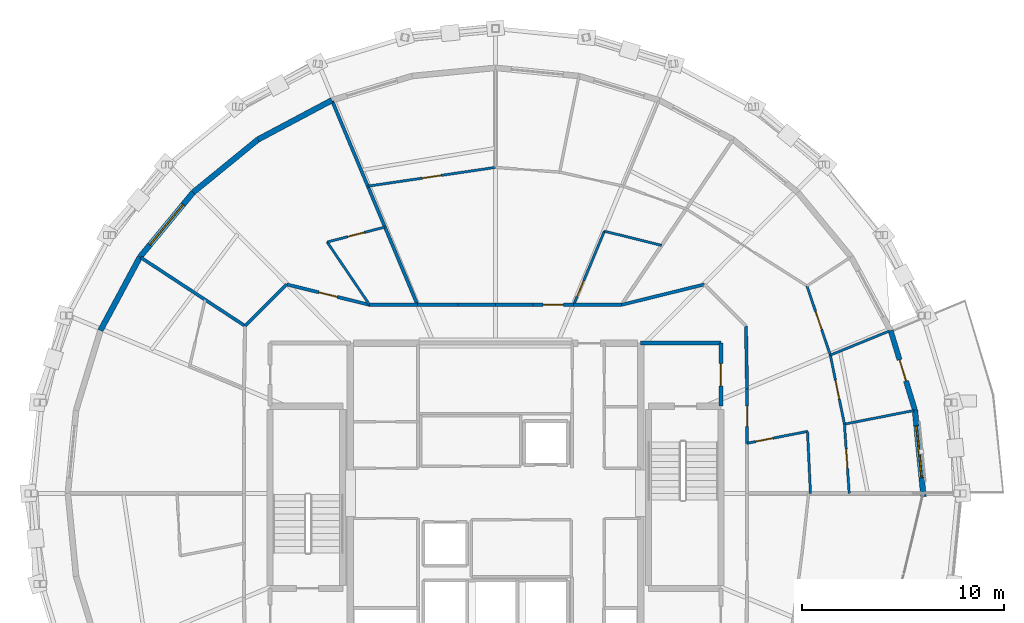
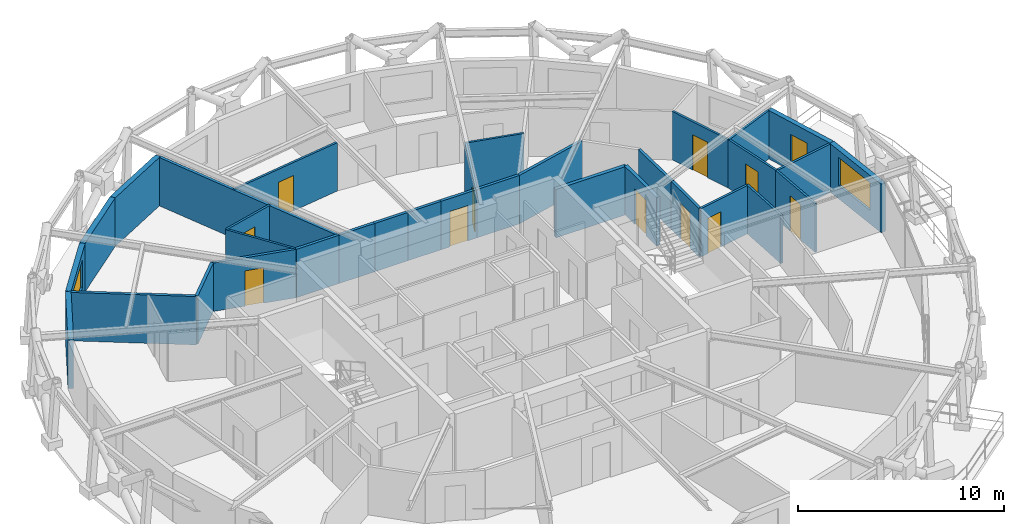
# One storey, part 10 of 12: 33 walls, 12 doors, 2 windows, 14 openings.
"""IFC4 building model written with IfcOpenShell, lengths in metres."""

from ifc_helpers import new_model, si_unit, direction, frame, frame_2d, origin, place, context, subcontext, project, spatial, rectangle, extrude, material, layer, layer_set, type_object, element, fill, save


model = new_model("IFC4")

# Units and contexts
model_context = context("Model", 3, precision=1e-05, world=origin(), true_north=direction((0.0, 1.0)))
body_context = subcontext(model_context, "Body", "Model", "MODEL_VIEW")
ifc_project = project(units=[si_unit("LENGTHUNIT", "METRE"), si_unit("AREAUNIT", "SQUARE_METRE"), si_unit("VOLUMEUNIT", "CUBIC_METRE"), si_unit("PLANEANGLEUNIT", "RADIAN"), si_unit("MASSUNIT", "GRAM", prefix="KILO")], contexts=[model_context])

# Site, building, storey
site_placement = place(None, origin())
site = spatial("IfcSite", under=ifc_project, at=site_placement, CompositionType="ELEMENT")
building_placement = place(site_placement, origin())
building = spatial("IfcBuilding", under=site, at=building_placement, Name="Veldorina Hangang Commons", CompositionType="ELEMENT")
storey_placement = place(building_placement, frame((0.0, 0.0, 247.199951171875)))
storey = spatial("IfcBuildingStorey", under=building, at=storey_placement, Name="L64", CompositionType="ELEMENT", Elevation=247.199951171875)

# Wall, opening, door
ifc_material_1 = material(Name="Stone Roman Travertine", Category="masonry")
ifc_layer_1 = layer(ifc_material_1, 0.260009765625)
ifc_layer_set_1 = layer_set([ifc_layer_1], Name="Stone Roman Travertine")
wall_type_1 = type_object("IfcWallType", Name="EW-LOGGIA-260", PredefinedType="STANDARD", material=ifc_layer_set_1)
wall_1_placement = place(storey_placement, frame((52.81201171875, 28.118408203125, 0.0), z_axis=(0.0, 0.0, 1.0), x_axis=(-0.291673136786, 0.95651805068, 0.0)))
wall_1 = element("IfcWall", 1, at=wall_1_placement, inside=storey, type_object=wall_type_1, Name="L64 sky-garden loggia portal wall 01", PredefinedType="STANDARD", context=body_context, shape_type="SweptSolid", body=[
    extrude(rectangle(XDim=4.139892578125, YDim=0.260009765625, at=frame_2d((2.06982421875, 0.0))), origin(), (0.0, 0.0, 1.0), 2.880126953125),
])
opening_1_placement = place(wall_1_placement, frame((1.52001953125, 0.0, 0.0)))
opening_1 = element("IfcOpeningElement", 2, at=opening_1_placement, cuts=wall_1, Name="Opening BD-1100", PredefinedType="OPENING", context=body_context, shape_type="SweptSolid", body=[
    extrude(rectangle(XDim=1.10009765625, YDim=2.14990234375, at=frame_2d((0.550048828125, 1.074951171875))), frame((0.0, 0.14013671875, 0.0), z_axis=(0.0, -1.0, 0.0), x_axis=(1.0, 0.0, 0.0)), (0.0, 0.0, 1.0), 0.280029296875),
])
ifc_material_2 = material(Name="Glass Thermal Aluminium Frame", Category="aluminium")
door_type_1 = type_object("IfcDoorType", Name="DR-EXT-BAL1100", OperationType="SINGLE_SWING_RIGHT", PredefinedType="DOOR", material=ifc_material_2)
door_1_placement = place(opening_1_placement, origin())
door_1 = element("IfcDoor", 3, at=door_1_placement, inside=storey, type_object=door_type_1, Name="L64 tree balcony glazed exterior door 01", OperationType="SINGLE_SWING_RIGHT", OverallHeight=2.14990234375, OverallWidth=1.10009765625, PredefinedType="DOOR", context=body_context, shape_type="SweptSolid", body=[
    extrude(rectangle(XDim=1.10009765625, YDim=2.14990234375, at=frame_2d((0.550048828125, 1.074951171875))), frame((0.0, 0.02490234375, 0.0), z_axis=(0.0, -1.0, 0.0), x_axis=(1.0, 0.0, 0.0)), (0.0, 0.0, 1.0), 0.050048828125),
])
fill(opening_1, door_1)

# Wall, opening, window
ifc_layer_2 = layer(ifc_material_1, 0.280029296875)
ifc_layer_set_2 = layer_set([ifc_layer_2], Name="Stone Roman Travertine")
wall_type_2 = type_object("IfcWallType", Name="EW-TRAV-280", PredefinedType="STANDARD", material=ifc_layer_set_2)
wall_2_placement = place(storey_placement, frame((53.235595703125, 23.839599609375, 0.0), z_axis=(0.0, 0.0, 1.0), x_axis=(-0.098514226855, 0.995135642567, 0.0)))
wall_2 = element("IfcWall", 4, at=wall_2_placement, inside=storey, type_object=wall_type_2, Name="L64 travertine facade wall 00", PredefinedType="STANDARD", context=body_context, shape_type="SweptSolid", body=[
    extrude(rectangle(XDim=4.2998046875, YDim=0.280029296875, at=frame_2d((2.14990234375, 0.0))), origin(), (0.0, 0.0, 1.0), 2.880126953125),
])
opening_2_placement = place(wall_2_placement, frame((0.930419921875, 0.0, 0.800048828125)))
opening_2 = element("IfcOpeningElement", 5, at=opening_2_placement, cuts=wall_2, Name="Opening W-02", PredefinedType="OPENING", context=body_context, shape_type="SweptSolid", body=[
    extrude(rectangle(XDim=2.60009765625, YDim=1.64990234375, at=frame_2d((1.300048828125, 0.824951171875))), frame((0.0, 0.14990234375, 0.0), z_axis=(0.0, -1.0, 0.0), x_axis=(1.0, 0.0, 0.0)), (0.0, 0.0, 1.0), 0.300048828125),
])
ifc_material_3 = material(Name="Glass Low-E Triple IGU", Category="glass")
window_type = type_object("IfcWindowType", Name="WIN-TWR-2600", PartitioningType="SINGLE_PANEL", PredefinedType="WINDOW", material=ifc_material_3)
window_1_placement = place(opening_2_placement, origin())
window_1 = element("IfcWindow", 6, at=window_1_placement, inside=storey, type_object=window_type, Name="L64 facade window 00", OverallHeight=1.64990234375, OverallWidth=2.60009765625, PartitioningType="SINGLE_PANEL", PredefinedType="WINDOW", context=body_context, shape_type="SweptSolid", body=[
    extrude(rectangle(XDim=2.60009765625, YDim=1.64990234375, at=frame_2d((1.300048828125, 0.824951171875))), frame((0.0, 0.030029296875, 0.0), z_axis=(0.0, -1.0, 0.0), x_axis=(1.0, 0.0, 0.0)), (0.0, 0.0, 1.0), 0.06005859375),
])
fill(opening_2, window_1)

# Walls
wall_3_placement = place(storey_placement, frame((23.87939453125, 43.502685546875, 0.0), z_axis=(0.0, 0.0, 1.0), x_axis=(-0.88293458377, -0.469496028506, 0.0)))
element("IfcWall", 7, at=wall_3_placement, inside=storey, type_object=wall_type_2, Name="L64 travertine facade wall 10", PredefinedType="STANDARD", context=body_context, shape_type="SweptSolid", body=[
    extrude(rectangle(XDim=4.15478515625, YDim=0.280029296875, at=frame_2d((2.077392578125, 0.0))), origin(), (0.0, 0.0, 1.0), 2.880126953125),
])
wall_4_placement = place(storey_placement, frame((20.2109375, 41.552001953125, 0.0), z_axis=(0.0, 0.0, 1.0), x_axis=(-0.774627683951, -0.632417545025, 0.0)))
element("IfcWall", 8, at=wall_4_placement, inside=storey, type_object=wall_type_2, Name="L64 travertine facade wall 11", PredefinedType="STANDARD", context=body_context, shape_type="SweptSolid", body=[
    extrude(rectangle(XDim=4.151123046875, YDim=0.280029296875, at=frame_2d((2.07568359375, 0.0))), origin(), (0.0, 0.0, 1.0), 2.880126953125),
])

# Wall, opening, window
wall_5_placement = place(storey_placement, frame((16.995361328125, 38.9267578125, 0.0), z_axis=(0.0, 0.0, 1.0), x_axis=(-0.63634880002, -0.771401454959, 0.0)))
wall_5 = element("IfcWall", 9, at=wall_5_placement, inside=storey, type_object=wall_type_2, Name="L64 travertine facade wall 12", PredefinedType="STANDARD", context=body_context, shape_type="SweptSolid", body=[
    extrude(rectangle(XDim=4.14697265625, YDim=0.280029296875, at=frame_2d((2.073486328125, 0.0))), origin(), (0.0, 0.0, 1.0), 2.880126953125),
])
opening_3_placement = place(wall_5_placement, frame((0.7734375, 0.0, 0.800048828125)))
opening_3 = element("IfcOpeningElement", 10, at=opening_3_placement, cuts=wall_5, Name="Opening W-02", PredefinedType="OPENING", context=body_context, shape_type="SweptSolid", body=[
    extrude(rectangle(XDim=2.60009765625, YDim=1.64990234375, at=frame_2d((1.300048828125, 0.824951171875))), frame((0.0, 0.14990234375, 0.0), z_axis=(0.0, -1.0, 0.0), x_axis=(1.0, 0.0, 0.0)), (0.0, 0.0, 1.0), 0.300048828125),
])
window_2_placement = place(opening_3_placement, origin())
window_2 = element("IfcWindow", 11, at=window_2_placement, inside=storey, type_object=window_type, Name="L64 facade window 12", OverallHeight=1.64990234375, OverallWidth=2.60009765625, PartitioningType="SINGLE_PANEL", PredefinedType="WINDOW", context=body_context, shape_type="SweptSolid", body=[
    extrude(rectangle(XDim=2.60009765625, YDim=1.64990234375, at=frame_2d((1.300048828125, 0.824951171875))), frame((0.0, 0.030029296875, 0.0), z_axis=(0.0, -1.0, 0.0), x_axis=(1.0, 0.0, 0.0)), (0.0, 0.0, 1.0), 0.06005859375),
])
fill(opening_3, window_2)

# Wall
wall_6_placement = place(storey_placement, frame((14.3564453125, 35.727783203125, 0.0), z_axis=(0.0, 0.0, 1.0), x_axis=(-0.473326520675, -0.880887055658, 0.0)))
element("IfcWall", 12, at=wall_6_placement, inside=storey, type_object=wall_type_2, Name="L64 travertine facade wall 13", PredefinedType="STANDARD", context=body_context, shape_type="SweptSolid", body=[
    extrude(rectangle(XDim=4.142822265625, YDim=0.280029296875, at=frame_2d((2.0712890625, 0.0))), origin(), (0.0, 0.0, 1.0), 2.880126953125),
])

# Wall, opening, door
ifc_material_4 = material(Name="Gypsum Fire-Rated Twin Stud Wall", Category="gypsum")
ifc_layer_3 = layer(ifc_material_4, 0.159912109375)
ifc_layer_set_3 = layer_set([ifc_layer_3], Name="Gypsum Fire-Rated Twin Stud Wall")
wall_type_3 = type_object("IfcWallType", Name="WL-FIRE-160", PredefinedType="SOLIDWALL", material=ifc_layer_set_3)
wall_7_placement = place(storey_placement, frame((44.47998046875, 26.482421875, 0.0), z_axis=(0.0, 0.0, 1.0), x_axis=(0.0, 1.0, 0.0)))
wall_7 = element("IfcWall", 13, at=wall_7_placement, inside=storey, type_object=wall_type_3, Name="L64 Compact collar outer wall 01 053", PredefinedType="SOLIDWALL", context=body_context, shape_type="SweptSolid", body=[
    extrude(rectangle(XDim=2.68701171875, YDim=0.159912109375, at=frame_2d((1.343505859375, 0.0))), origin(), (0.0, 0.0, 1.0), 2.8701171875),
])
opening_4_placement = place(wall_7_placement, frame((0.843505859375, 0.0, 0.0)))
opening_4 = element("IfcOpeningElement", 14, at=opening_4_placement, cuts=wall_7, Name="Opening D-06", PredefinedType="OPENING", context=body_context, shape_type="SweptSolid", body=[
    extrude(rectangle(XDim=1.0, YDim=2.10009765625, at=frame_2d((0.5, 1.050048828125))), frame((0.0, 0.08984375, 0.0), z_axis=(0.0, -1.0, 0.0), x_axis=(1.0, 0.0, 0.0)), (0.0, 0.0, 1.0), 0.179931640625),
])
ifc_material_5 = material(Name="Timber Fire-Rated Entrance Core", Category="wood")
door_type_2 = type_object("IfcDoorType", Name="DR-UNIT-1000", OperationType="SINGLE_SWING_LEFT", PredefinedType="DOOR", material=ifc_material_5)
door_2_placement = place(opening_4_placement, origin())
door_2 = element("IfcDoor", 15, at=door_2_placement, inside=storey, type_object=door_type_2, Name="L64 Cluster 2 entrance door 023", OperationType="SINGLE_SWING_LEFT", OverallHeight=2.10009765625, OverallWidth=1.0, PredefinedType="DOOR", context=body_context, shape_type="SweptSolid", body=[
    extrude(rectangle(XDim=1.0, YDim=2.10009765625, at=frame_2d((0.5, 1.050048828125))), frame((0.0, 0.02490234375, 0.0), z_axis=(0.0, -1.0, 0.0), x_axis=(1.0, 0.0, 0.0)), (0.0, 0.0, 1.0), 0.050048828125),
])
fill(opening_4, door_2)

# Walls
wall_8_placement = place(storey_placement, frame((44.47998046875, 29.16943359375, 0.0), z_axis=(0.0, 0.0, 1.0), x_axis=(-0.016981035134, 0.999855811828, 0.0)))
element("IfcWall", 16, at=wall_8_placement, inside=storey, type_object=wall_type_3, Name="L64 Compact collar outer wall 02 054", PredefinedType="SOLIDWALL", context=body_context, shape_type="SweptSolid", body=[
    extrude(rectangle(XDim=3.13427734375, YDim=0.159912109375, at=frame_2d((1.567138671875, 0.0))), origin(), (0.0, 0.0, 1.0), 2.8701171875),
])
wall_9_placement = place(storey_placement, frame((42.364990234375, 34.364990234375, 0.0), z_axis=(0.0, 0.0, 1.0), x_axis=(-0.970939799552, -0.239323850978, 0.0)))
element("IfcWall", 17, at=wall_9_placement, inside=storey, type_object=wall_type_3, Name="L64 Compact collar outer wall 04 056", PredefinedType="SOLIDWALL", context=body_context, shape_type="SweptSolid", body=[
    extrude(rectangle(XDim=4.24072265625, YDim=0.159912109375, at=frame_2d((2.120361328125, 0.0))), origin(), (0.0, 0.0, 1.0), 2.8701171875),
])
wall_10_placement = place(storey_placement, frame((38.24755859375, 33.35009765625, 0.0), z_axis=(0.0, 0.0, 1.0), x_axis=(-1.0, 0.0, 0.0)))
element("IfcWall", 18, at=wall_10_placement, inside=storey, type_object=wall_type_3, Name="L64 Compact collar outer wall 05 057", PredefinedType="SOLIDWALL", context=body_context, shape_type="SweptSolid", body=[
    extrude(rectangle(XDim=2.374755859375, YDim=0.159912109375, at=frame_2d((1.1875, 0.0))), origin(), (0.0, 0.0, 1.0), 2.8701171875),
])

# Wall, opening, door
wall_11_placement = place(storey_placement, frame((35.872802734375, 33.35009765625, 0.0), z_axis=(0.0, 0.0, 1.0), x_axis=(-1.0, 0.0, 0.0)))
wall_11 = element("IfcWall", 19, at=wall_11_placement, inside=storey, type_object=wall_type_3, Name="L64 Compact collar outer wall 06 058", PredefinedType="SOLIDWALL", context=body_context, shape_type="SweptSolid", body=[
    extrude(rectangle(XDim=2.012939453125, YDim=0.159912109375, at=frame_2d((1.00634765625, 0.0))), origin(), (0.0, 0.0, 1.0), 2.8701171875),
])
opening_5_placement = place(wall_11_placement, frame((0.506591796875, 0.0, 0.0)))
opening_5 = element("IfcOpeningElement", 20, at=opening_5_placement, cuts=wall_11, Name="Opening D-06", PredefinedType="OPENING", context=body_context, shape_type="SweptSolid", body=[
    extrude(rectangle(XDim=1.0, YDim=2.10009765625, at=frame_2d((0.5, 1.050048828125))), frame((0.0, 0.08984375, 0.0), z_axis=(0.0, -1.0, 0.0), x_axis=(1.0, 0.0, 0.0)), (0.0, 0.0, 1.0), 0.179931640625),
])
door_3_placement = place(opening_5_placement, origin())
door_3 = element("IfcDoor", 21, at=door_3_placement, inside=storey, type_object=door_type_2, Name="L64 Cluster 3 entrance door 029", OperationType="SINGLE_SWING_LEFT", OverallHeight=2.10009765625, OverallWidth=1.0, PredefinedType="DOOR", context=body_context, shape_type="SweptSolid", body=[
    extrude(rectangle(XDim=1.0, YDim=2.10009765625, at=frame_2d((0.5, 1.050048828125))), frame((0.0, 0.02490234375, 0.0), z_axis=(0.0, -1.0, 0.0), x_axis=(1.0, 0.0, 0.0)), (0.0, 0.0, 1.0), 0.050048828125),
])
fill(opening_5, door_3)

# Walls
for number, where, z_axis, x_axis, name in (
    (22, (33.85986328125, 33.35009765625, 0.0), (0.0, 0.0, 1.0), (-1.0, 0.0, 0.0), "L64 Compact collar outer wall 07 059"),
    (23, (32.0, 33.35009765625, 0.0), (0.0, 0.0, 1.0), (-1.0, 0.0, 0.0), "L64 Compact collar outer wall 08 060"),
):
    element("IfcWall", number, at=place(storey_placement, frame(where, z_axis=z_axis, x_axis=x_axis)), inside=storey, type_object=wall_type_3, Name=name, PredefinedType="SOLIDWALL", context=body_context, shape_type="SweptSolid", body=[
        extrude(rectangle(XDim=1.85986328125, YDim=0.159912109375, at=frame_2d((0.929931640625, 0.0))), origin(), (0.0, 0.0, 1.0), 2.8701171875),
    ])
wall_12_placement = place(storey_placement, frame((30.14013671875, 33.35009765625, 0.0), z_axis=(0.0, 0.0, 1.0), x_axis=(-1.0, 0.0, 0.0)))
element("IfcWall", 24, at=wall_12_placement, inside=storey, type_object=wall_type_3, Name="L64 Compact collar outer wall 09 061", PredefinedType="SOLIDWALL", context=body_context, shape_type="SweptSolid", body=[
    extrude(rectangle(XDim=2.012939453125, YDim=0.159912109375, at=frame_2d((1.00634765625, 0.0))), origin(), (0.0, 0.0, 1.0), 2.8701171875),
])
wall_13_placement = place(storey_placement, frame((28.127197265625, 33.35009765625, 0.0), z_axis=(0.0, 0.0, 1.0), x_axis=(-1.0, 0.0, 0.0)))
element("IfcWall", 25, at=wall_13_placement, inside=storey, type_object=wall_type_3, Name="L64 Compact collar outer wall 10 062", PredefinedType="SOLIDWALL", context=body_context, shape_type="SweptSolid", body=[
    extrude(rectangle(XDim=2.374755859375, YDim=0.159912109375, at=frame_2d((1.1875, 0.0))), origin(), (0.0, 0.0, 1.0), 2.8701171875),
])

# Wall, opening, door
wall_14_placement = place(storey_placement, frame((25.75244140625, 33.35009765625, 0.0), z_axis=(0.0, 0.0, 1.0), x_axis=(-0.970939799552, 0.239323850978, 0.0)))
wall_14 = element("IfcWall", 26, at=wall_14_placement, inside=storey, type_object=wall_type_3, Name="L64 Compact collar outer wall 11 063", PredefinedType="SOLIDWALL", context=body_context, shape_type="SweptSolid", body=[
    extrude(rectangle(XDim=4.24072265625, YDim=0.159912109375, at=frame_2d((2.120361328125, 0.0))), origin(), (0.0, 0.0, 1.0), 2.8701171875),
])
opening_6_placement = place(wall_14_placement, frame((1.6455078125, 0.0, 0.0)))
opening_6 = element("IfcOpeningElement", 27, at=opening_6_placement, cuts=wall_14, Name="Opening D-03", PredefinedType="OPENING", context=body_context, shape_type="SweptSolid", body=[
    extrude(rectangle(XDim=0.949951171875, YDim=2.10009765625, at=frame_2d((0.47509765625, 1.050048828125))), frame((0.0, 0.08984375, 0.0), z_axis=(0.0, -1.0, 0.0), x_axis=(1.0, 0.0, 0.0)), (0.0, 0.0, 1.0), 0.179931640625),
])
door_type_3 = type_object("IfcDoorType", Name="DR-UNIT-950", OperationType="SINGLE_SWING_RIGHT", PredefinedType="DOOR", material=ifc_material_5)
door_4_placement = place(opening_6_placement, origin())
door_4 = element("IfcDoor", 28, at=door_4_placement, inside=storey, type_object=door_type_3, Name="L64 Studio 4 entrance door 035", OperationType="SINGLE_SWING_LEFT", OverallHeight=2.10009765625, OverallWidth=0.949951171875, PredefinedType="DOOR", context=body_context, shape_type="SweptSolid", body=[
    extrude(rectangle(XDim=0.949951171875, YDim=2.10009765625, at=frame_2d((0.47509765625, 1.050048828125))), frame((0.0, 0.02490234375, 0.0), z_axis=(0.0, -1.0, 0.0), x_axis=(1.0, 0.0, 0.0)), (0.0, 0.0, 1.0), 0.050048828125),
])
fill(opening_6, door_4)

# Walls
wall_15_placement = place(storey_placement, frame((21.635009765625, 34.364990234375, 0.0), z_axis=(0.0, 0.0, 1.0), x_axis=(-0.707106781187, -0.707106781187, 0.0)))
element("IfcWall", 29, at=wall_15_placement, inside=storey, type_object=wall_type_3, Name="L64 Compact collar outer wall 12 064", PredefinedType="SOLIDWALL", context=body_context, shape_type="SweptSolid", body=[
    extrude(rectangle(XDim=2.915771484375, YDim=0.159912109375, at=frame_2d((1.4580078125, 0.0))), origin(), (0.0, 0.0, 1.0), 2.8701171875),
])
wall_16_placement = place(storey_placement, frame((28.127197265625, 33.35009765625, 0.0), z_axis=(0.0, 0.0, 1.0), x_axis=(-0.385967865978, 0.922512225628, 0.0)))
element("IfcWall", 30, at=wall_16_placement, inside=storey, type_object=wall_type_3, Name="L64 Unit party wall 10 109", PredefinedType="SOLIDWALL", context=body_context, shape_type="SweptSolid", body=[
    extrude(rectangle(XDim=10.95556640625, YDim=0.159912109375, at=frame_2d((5.477783203125, 0.0))), origin(), (0.0, 0.0, 1.0), 2.8701171875),
])
wall_17_placement = place(storey_placement, frame((19.5732421875, 32.30322265625, 0.0), z_axis=(0.0, 0.0, 1.0), x_axis=(-0.835967060614, 0.548779622043, 0.0)))
element("IfcWall", 31, at=wall_17_placement, inside=storey, type_object=wall_type_3, Name="L64 Unit party wall 13 112", PredefinedType="SOLIDWALL", context=body_context, shape_type="SweptSolid", body=[
    extrude(rectangle(XDim=6.1904296875, YDim=0.159912109375, at=frame_2d((3.09521484375, 0.0))), origin(), (0.0, 0.0, 1.0), 2.8701171875),
])

# Wall, opening, door
ifc_material_6 = material(Name="Concrete Blockwork Fire Wall C30/37", Category="masonry")
ifc_layer_4 = layer(ifc_material_6, 0.199951171875)
ifc_layer_set_4 = layer_set([ifc_layer_4], Name="Concrete Blockwork Fire Wall C30/37")
wall_type_4 = type_object("IfcWallType", Name="WL-FIRE-200", PredefinedType="SOLIDWALL", material=ifc_layer_set_4)
wall_18_placement = place(storey_placement, frame((43.179931640625, 28.320068359375, 0.0), z_axis=(0.0, 0.0, 1.0), x_axis=(0.0, 1.0, 0.0)))
wall_18 = element("IfcWall", 32, at=wall_18_placement, inside=storey, type_object=wall_type_4, Name="L64 East vestibule outer wall 003", PredefinedType="SOLIDWALL", context=body_context, shape_type="SweptSolid", body=[
    extrude(rectangle(XDim=3.1298828125, YDim=0.199951171875, at=frame_2d((1.56494140625, 0.0))), origin(), (0.0, 0.0, 1.0), 2.8701171875),
])
opening_7_placement = place(wall_18_placement, frame((1.014892578125, 0.0, 0.0)))
opening_7 = element("IfcOpeningElement", 33, at=opening_7_placement, cuts=wall_18, Name="Opening D-08", PredefinedType="OPENING", context=body_context, shape_type="SweptSolid", body=[
    extrude(rectangle(XDim=1.10009765625, YDim=2.10009765625, at=frame_2d((0.550048828125, 1.050048828125))), frame((0.0, 0.10986328125, 0.0), z_axis=(0.0, -1.0, 0.0), x_axis=(1.0, 0.0, 0.0)), (0.0, 0.0, 1.0), 0.219970703125),
])
ifc_material_7 = material(Name="Steel Fire-Rated Smoke Seal", Category="steel")
door_type_4 = type_object("IfcDoorType", Name="DR-FIRE-1100", OperationType="SINGLE_SWING_RIGHT", PredefinedType="DOOR", material=ifc_material_7)
door_5_placement = place(opening_7_placement, origin())
door_5 = element("IfcDoor", 34, at=door_5_placement, inside=storey, type_object=door_type_4, Name="L64 East vestibule east door 002", OperationType="SINGLE_SWING_RIGHT", OverallHeight=2.10009765625, OverallWidth=1.10009765625, PredefinedType="DOOR", context=body_context, shape_type="SweptSolid", body=[
    extrude(rectangle(XDim=1.10009765625, YDim=2.10009765625, at=frame_2d((0.550048828125, 1.050048828125))), frame((0.0, 0.02490234375, 0.0), z_axis=(0.0, -1.0, 0.0), x_axis=(1.0, 0.0, 0.0)), (0.0, 0.0, 1.0), 0.050048828125),
])
fill(opening_7, door_5)

# Walls
wall_19_placement = place(storey_placement, frame((39.199951171875, 31.449951171875, 0.0), z_axis=(0.0, 0.0, 1.0), x_axis=(1.0, 0.0, 0.0)))
element("IfcWall", 35, at=wall_19_placement, inside=storey, type_object=wall_type_4, Name="L64 East vestibule north wall 004", PredefinedType="SOLIDWALL", context=body_context, shape_type="SweptSolid", body=[
    extrude(rectangle(XDim=3.97998046875, YDim=0.199951171875, at=frame_2d((1.989990234375, 0.0))), origin(), (0.0, 0.0, 1.0), 2.8701171875),
])
ifc_material_8 = material(Name="Gypsum Acoustic Stud Partition", Category="gypsum")
ifc_layer_5 = layer(ifc_material_8, 0.1201171875)
ifc_layer_set_5 = layer_set([ifc_layer_5], Name="Gypsum Acoustic Stud Partition")
wall_type_5 = type_object("IfcWallType", Name="WL-PART-120", PredefinedType="PARTITIONING", material=ifc_layer_set_5)
wall_20_placement = place(storey_placement, frame((47.626220703125, 24.0, 0.0), z_axis=(0.0, 0.0, 1.0), x_axis=(-0.047719818528, 0.998860760527, 0.0)))
element("IfcWall", 36, at=wall_20_placement, inside=storey, type_object=wall_type_5, Name="L64 Cluster 2 bath front wall 090", PredefinedType="PARTITIONING", context=body_context, shape_type="SweptSolid", body=[
    extrude(rectangle(XDim=3.07470703125, YDim=0.1201171875, at=frame_2d((1.537353515625, 0.0))), origin(), (0.0, 0.0, 1.0), 2.8701171875),
])

# Wall, opening, door
wall_21_placement = place(storey_placement, frame((44.47998046875, 26.482421875, 0.0), z_axis=(0.0, 0.0, 1.0), x_axis=(0.981268776343, 0.192643682935, 0.0)))
wall_21 = element("IfcWall", 37, at=wall_21_placement, inside=storey, type_object=wall_type_5, Name="L64 Cluster 2 bath side wall 091", PredefinedType="PARTITIONING", context=body_context, shape_type="SweptSolid", body=[
    extrude(rectangle(XDim=3.056884765625, YDim=0.1201171875, at=frame_2d((1.5283203125, 0.0))), origin(), (0.0, 0.0, 1.0), 2.8701171875),
])
opening_8_placement = place(wall_21_placement, frame((0.43994140625, 0.0, 0.0)))
opening_8 = element("IfcOpeningElement", 38, at=opening_8_placement, cuts=wall_21, Name="Opening D-01", PredefinedType="OPENING", context=body_context, shape_type="SweptSolid", body=[
    extrude(rectangle(XDim=0.860107421875, YDim=2.10009765625, at=frame_2d((0.43017578125, 1.050048828125))), frame((0.0, 0.070068359375, 0.0), z_axis=(0.0, -1.0, 0.0), x_axis=(1.0, 0.0, 0.0)), (0.0, 0.0, 1.0), 0.14013671875),
])
ifc_material_9 = material(Name="Timber Moisture-Resistant Core", Category="wood")
door_type_5 = type_object("IfcDoorType", Name="DR-WET-860", OperationType="SINGLE_SWING_LEFT", PredefinedType="DOOR", material=ifc_material_9)
door_6_placement = place(opening_8_placement, origin())
door_6 = element("IfcDoor", 39, at=door_6_placement, inside=storey, type_object=door_type_5, Name="L64 Cluster 2 shared bathroom door 022", OperationType="SINGLE_SWING_RIGHT", OverallHeight=2.10009765625, OverallWidth=0.860107421875, PredefinedType="DOOR", context=body_context, shape_type="SweptSolid", body=[
    extrude(rectangle(XDim=0.860107421875, YDim=2.10009765625, at=frame_2d((0.43017578125, 1.050048828125))), frame((0.0, 0.02490234375, 0.0), z_axis=(0.0, -1.0, 0.0), x_axis=(1.0, 0.0, 0.0)), (0.0, 0.0, 1.0), 0.050048828125),
])
fill(opening_8, door_6)

wall_22_placement = place(storey_placement, frame((49.549072265625, 24.0, 0.0), z_axis=(0.0, 0.0, 1.0), x_axis=(-0.068785038262, 0.99763150437, 0.0)))
wall_22 = element("IfcWall", 40, at=wall_22_placement, inside=storey, type_object=wall_type_5, Name="L64 Cluster 2 bed 1 front wall 092", PredefinedType="PARTITIONING", context=body_context, shape_type="SweptSolid", body=[
    extrude(rectangle(XDim=3.439208984375, YDim=0.1201171875, at=frame_2d((1.7197265625, 0.0))), origin(), (0.0, 0.0, 1.0), 2.8701171875),
])
opening_9_placement = place(wall_22_placement, frame((1.24462890625, 0.0, 0.0)))
opening_9 = element("IfcOpeningElement", 41, at=opening_9_placement, cuts=wall_22, Name="Opening D-02", PredefinedType="OPENING", context=body_context, shape_type="SweptSolid", body=[
    extrude(rectangle(XDim=0.949951171875, YDim=2.10009765625, at=frame_2d((0.47509765625, 1.050048828125))), frame((0.0, 0.070068359375, 0.0), z_axis=(0.0, -1.0, 0.0), x_axis=(1.0, 0.0, 0.0)), (0.0, 0.0, 1.0), 0.14013671875),
])
ifc_material_10 = material(Name="Timber Solid Core Acoustic", Category="wood")
door_type_6 = type_object("IfcDoorType", Name="DR-INT-950", OperationType="SINGLE_SWING_LEFT", PredefinedType="DOOR", material=ifc_material_10)
door_7_placement = place(opening_9_placement, origin())
door_7 = element("IfcDoor", 42, at=door_7_placement, inside=storey, type_object=door_type_6, Name="L64 Cluster 2 bed 1 door 024", OperationType="SINGLE_SWING_RIGHT", OverallHeight=2.10009765625, OverallWidth=0.949951171875, PredefinedType="DOOR", context=body_context, shape_type="SweptSolid", body=[
    extrude(rectangle(XDim=0.949951171875, YDim=2.10009765625, at=frame_2d((0.47509765625, 1.050048828125))), frame((0.0, 0.02490234375, 0.0), z_axis=(0.0, -1.0, 0.0), x_axis=(1.0, 0.0, 0.0)), (0.0, 0.0, 1.0), 0.050048828125),
])
fill(opening_9, door_7)

wall_23_placement = place(storey_placement, frame((49.3125, 27.43115234375, 0.0), z_axis=(0.0, 0.0, 1.0), x_axis=(-0.20026371196, 0.979742030165, 0.0)))
wall_23 = element("IfcWall", 43, at=wall_23_placement, inside=storey, type_object=wall_type_5, Name="L64 Cluster 2 bed 2 front wall 093", PredefinedType="PARTITIONING", context=body_context, shape_type="SweptSolid", body=[
    extrude(rectangle(XDim=3.496337890625, YDim=0.1201171875, at=frame_2d((1.748046875, 0.0))), origin(), (0.0, 0.0, 1.0), 2.8701171875),
])
opening_10_placement = place(wall_23_placement, frame((1.273193359375, 0.0, 0.0)))
opening_10 = element("IfcOpeningElement", 44, at=opening_10_placement, cuts=wall_23, Name="Opening D-02", PredefinedType="OPENING", context=body_context, shape_type="SweptSolid", body=[
    extrude(rectangle(XDim=0.949951171875, YDim=2.10009765625, at=frame_2d((0.47509765625, 1.050048828125))), frame((0.0, 0.070068359375, 0.0), z_axis=(0.0, -1.0, 0.0), x_axis=(1.0, 0.0, 0.0)), (0.0, 0.0, 1.0), 0.14013671875),
])
door_8_placement = place(opening_10_placement, origin())
door_8 = element("IfcDoor", 45, at=door_8_placement, inside=storey, type_object=door_type_6, Name="L64 Cluster 2 bed 2 door 025", OperationType="SINGLE_SWING_LEFT", OverallHeight=2.10009765625, OverallWidth=0.949951171875, PredefinedType="DOOR", context=body_context, shape_type="SweptSolid", body=[
    extrude(rectangle(XDim=0.949951171875, YDim=2.10009765625, at=frame_2d((0.47509765625, 1.050048828125))), frame((0.0, 0.02490234375, 0.0), z_axis=(0.0, -1.0, 0.0), x_axis=(1.0, 0.0, 0.0)), (0.0, 0.0, 1.0), 0.050048828125),
])
fill(opening_10, door_8)

# Wall
wall_24_placement = place(storey_placement, frame((49.3125, 27.43115234375, 0.0), z_axis=(0.0, 0.0, 1.0), x_axis=(0.981263590574, 0.192670095793, 0.0)))
element("IfcWall", 46, at=wall_24_placement, inside=storey, type_object=wall_type_5, Name="L64 Cluster 2 bed divider 1 094", PredefinedType="PARTITIONING", context=body_context, shape_type="SweptSolid", body=[
    extrude(rectangle(XDim=3.516357421875, YDim=0.1201171875, at=frame_2d((1.75830078125, 0.0))), origin(), (0.0, 0.0, 1.0), 2.8701171875),
])

# Wall, opening, door
wall_25_placement = place(storey_placement, frame((48.6123046875, 30.856689453125, 0.0), z_axis=(0.0, 0.0, 1.0), x_axis=(-0.320106009533, 0.947381730171, 0.0)))
wall_25 = element("IfcWall", 47, at=wall_25_placement, inside=storey, type_object=wall_type_5, Name="L64 Cluster 2 bed 3 front wall 095", PredefinedType="PARTITIONING", context=body_context, shape_type="SweptSolid", body=[
    extrude(rectangle(XDim=3.62353515625, YDim=0.1201171875, at=frame_2d((1.811767578125, 0.0))), origin(), (0.0, 0.0, 1.0), 2.8701171875),
])
opening_11_placement = place(wall_25_placement, frame((1.3369140625, 0.0, 0.0)))
opening_11 = element("IfcOpeningElement", 48, at=opening_11_placement, cuts=wall_25, Name="Opening D-02", PredefinedType="OPENING", context=body_context, shape_type="SweptSolid", body=[
    extrude(rectangle(XDim=0.949951171875, YDim=2.10009765625, at=frame_2d((0.47509765625, 1.050048828125))), frame((0.0, 0.070068359375, 0.0), z_axis=(0.0, -1.0, 0.0), x_axis=(1.0, 0.0, 0.0)), (0.0, 0.0, 1.0), 0.14013671875),
])
door_9_placement = place(opening_11_placement, origin())
door_9 = element("IfcDoor", 49, at=door_9_placement, inside=storey, type_object=door_type_6, Name="L64 Cluster 2 bed 3 door 026", OperationType="SINGLE_SWING_RIGHT", OverallHeight=2.10009765625, OverallWidth=0.949951171875, PredefinedType="DOOR", context=body_context, shape_type="SweptSolid", body=[
    extrude(rectangle(XDim=0.949951171875, YDim=2.10009765625, at=frame_2d((0.47509765625, 1.050048828125))), frame((0.0, 0.02490234375, 0.0), z_axis=(0.0, -1.0, 0.0), x_axis=(1.0, 0.0, 0.0)), (0.0, 0.0, 1.0), 0.050048828125),
])
fill(opening_11, door_9)

# Walls
wall_26_placement = place(storey_placement, frame((48.6123046875, 30.856689453125, 0.0), z_axis=(0.0, 0.0, 1.0), x_axis=(0.925818055763, 0.377969479752, 0.0)))
element("IfcWall", 50, at=wall_26_placement, inside=storey, type_object=wall_type_5, Name="L64 Cluster 2 bed divider 2 096", PredefinedType="PARTITIONING", context=body_context, shape_type="SweptSolid", body=[
    extrude(rectangle(XDim=3.181884765625, YDim=0.1201171875, at=frame_2d((1.5908203125, 0.0))), origin(), (0.0, 0.0, 1.0), 2.8701171875),
])
wall_27_placement = place(storey_placement, frame((40.242431640625, 36.302734375, 0.0), z_axis=(0.0, 0.0, 1.0), x_axis=(-0.970777237008, 0.239982407911, 0.0)))
element("IfcWall", 51, at=wall_27_placement, inside=storey, type_object=wall_type_5, Name="L64 Cluster 3 bath front wall 100", PredefinedType="PARTITIONING", context=body_context, shape_type="SweptSolid", body=[
    extrude(rectangle(XDim=2.92578125, YDim=0.1201171875, at=frame_2d((1.462890625, 0.0))), origin(), (0.0, 0.0, 1.0), 2.8701171875),
])

# Wall, opening, door
wall_28_placement = place(storey_placement, frame((35.872802734375, 33.35009765625, 0.0), z_axis=(0.0, 0.0, 1.0), x_axis=(0.386006387389, 0.922496107794, 0.0)))
wall_28 = element("IfcWall", 52, at=wall_28_placement, inside=storey, type_object=wall_type_5, Name="L64 Cluster 3 bath side wall 101", PredefinedType="PARTITIONING", context=body_context, shape_type="SweptSolid", body=[
    extrude(rectangle(XDim=3.9619140625, YDim=0.1201171875, at=frame_2d((1.98095703125, 0.0))), origin(), (0.0, 0.0, 1.0), 2.8701171875),
])
opening_12_placement = place(wall_28_placement, frame((0.43994140625, 0.0, 0.0)))
opening_12 = element("IfcOpeningElement", 53, at=opening_12_placement, cuts=wall_28, Name="Opening D-01", PredefinedType="OPENING", context=body_context, shape_type="SweptSolid", body=[
    extrude(rectangle(XDim=0.860107421875, YDim=2.10009765625, at=frame_2d((0.43017578125, 1.050048828125))), frame((0.0, 0.070068359375, 0.0), z_axis=(0.0, -1.0, 0.0), x_axis=(1.0, 0.0, 0.0)), (0.0, 0.0, 1.0), 0.14013671875),
])
door_10_placement = place(opening_12_placement, origin())
door_10 = element("IfcDoor", 54, at=door_10_placement, inside=storey, type_object=door_type_5, Name="L64 Cluster 3 shared bathroom door 028", OperationType="SINGLE_SWING_RIGHT", OverallHeight=2.10009765625, OverallWidth=0.860107421875, PredefinedType="DOOR", context=body_context, shape_type="SweptSolid", body=[
    extrude(rectangle(XDim=0.860107421875, YDim=2.10009765625, at=frame_2d((0.43017578125, 1.050048828125))), frame((0.0, 0.02490234375, 0.0), z_axis=(0.0, -1.0, 0.0), x_axis=(1.0, 0.0, 0.0)), (0.0, 0.0, 1.0), 0.050048828125),
])
fill(opening_12, door_10)

wall_29_placement = place(storey_placement, frame((32.0, 40.170654296875, 0.0), z_axis=(0.0, 0.0, 1.0), x_axis=(-0.989352356065, -0.145540082278, 0.0)))
wall_29 = element("IfcWall", 55, at=wall_29_placement, inside=storey, type_object=wall_type_5, Name="L64 Cluster 3 bed 4 front wall 107", PredefinedType="PARTITIONING", context=body_context, shape_type="SweptSolid", body=[
    extrude(rectangle(XDim=6.404541015625, YDim=0.1201171875, at=frame_2d((3.2021484375, 0.0))), origin(), (0.0, 0.0, 1.0), 2.8701171875),
])
opening_13_placement = place(wall_29_placement, frame((2.727294921875, 0.0, 0.0)))
opening_13 = element("IfcOpeningElement", 56, at=opening_13_placement, cuts=wall_29, Name="Opening D-02", PredefinedType="OPENING", context=body_context, shape_type="SweptSolid", body=[
    extrude(rectangle(XDim=0.949951171875, YDim=2.10009765625, at=frame_2d((0.47509765625, 1.050048828125))), frame((0.0, 0.070068359375, 0.0), z_axis=(0.0, -1.0, 0.0), x_axis=(1.0, 0.0, 0.0)), (0.0, 0.0, 1.0), 0.14013671875),
])
door_11_placement = place(opening_13_placement, origin())
door_11 = element("IfcDoor", 57, at=door_11_placement, inside=storey, type_object=door_type_6, Name="L64 Cluster 3 bed 4 door 033", OperationType="SINGLE_SWING_LEFT", OverallHeight=2.10009765625, OverallWidth=0.949951171875, PredefinedType="DOOR", context=body_context, shape_type="SweptSolid", body=[
    extrude(rectangle(XDim=0.949951171875, YDim=2.10009765625, at=frame_2d((0.47509765625, 1.050048828125))), frame((0.0, 0.02490234375, 0.0), z_axis=(0.0, -1.0, 0.0), x_axis=(1.0, 0.0, 0.0)), (0.0, 0.0, 1.0), 0.050048828125),
])
fill(opening_13, door_11)

wall_30_placement = place(storey_placement, frame((26.512939453125, 37.2080078125, 0.0), z_axis=(0.0, 0.0, 1.0), x_axis=(-0.968151047418, -0.250366829639, 0.0)))
wall_30 = element("IfcWall", 58, at=wall_30_placement, inside=storey, type_object=wall_type_5, Name="L64 Studio 4 bath front wall 110", PredefinedType="PARTITIONING", context=body_context, shape_type="SweptSolid", body=[
    extrude(rectangle(XDim=2.96044921875, YDim=0.1201171875, at=frame_2d((1.480224609375, 0.0))), origin(), (0.0, 0.0, 1.0), 2.8701171875),
])
opening_14_placement = place(wall_30_placement, frame((1.05029296875, 0.0, 0.0)))
opening_14 = element("IfcOpeningElement", 59, at=opening_14_placement, cuts=wall_30, Name="Opening D-01", PredefinedType="OPENING", context=body_context, shape_type="SweptSolid", body=[
    extrude(rectangle(XDim=0.860107421875, YDim=2.10009765625, at=frame_2d((0.43017578125, 1.050048828125))), frame((0.0, 0.070068359375, 0.0), z_axis=(0.0, -1.0, 0.0), x_axis=(1.0, 0.0, 0.0)), (0.0, 0.0, 1.0), 0.14013671875),
])
door_12_placement = place(opening_14_placement, origin())
door_12 = element("IfcDoor", 60, at=door_12_placement, inside=storey, type_object=door_type_5, Name="L64 Studio 4 bathroom door 034", OperationType="SINGLE_SWING_RIGHT", OverallHeight=2.10009765625, OverallWidth=0.860107421875, PredefinedType="DOOR", context=body_context, shape_type="SweptSolid", body=[
    extrude(rectangle(XDim=0.860107421875, YDim=2.10009765625, at=frame_2d((0.43017578125, 1.050048828125))), frame((0.0, 0.02490234375, 0.0), z_axis=(0.0, -1.0, 0.0), x_axis=(1.0, 0.0, 0.0)), (0.0, 0.0, 1.0), 0.050048828125),
])
fill(opening_14, door_12)

# Wall
wall_31_placement = place(storey_placement, frame((25.75244140625, 33.35009765625, 0.0), z_axis=(0.0, 0.0, 1.0), x_axis=(-0.559827300853, 0.828609312776, 0.0)))
element("IfcWall", 61, at=wall_31_placement, inside=storey, type_object=wall_type_5, Name="L64 Studio 4 bath side wall 111", PredefinedType="PARTITIONING", context=body_context, shape_type="SweptSolid", body=[
    extrude(rectangle(XDim=3.761474609375, YDim=0.1201171875, at=frame_2d((1.880859375, 0.0))), origin(), (0.0, 0.0, 1.0), 2.8701171875),
])

save(model, "model.ifc")
